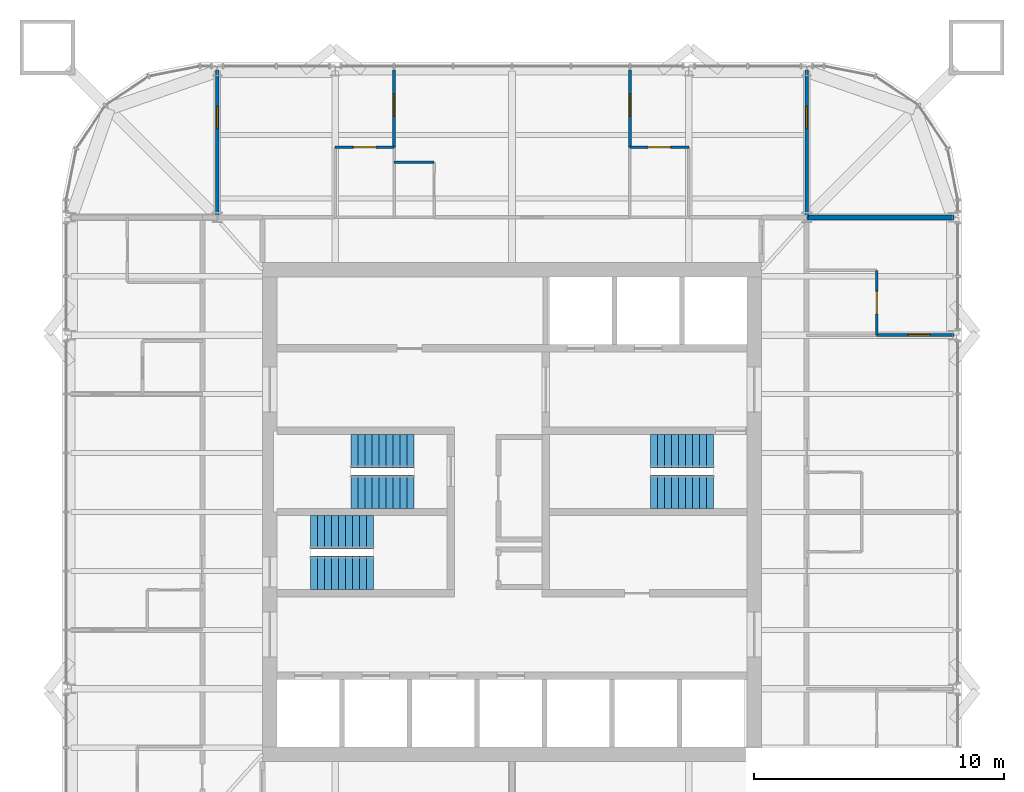
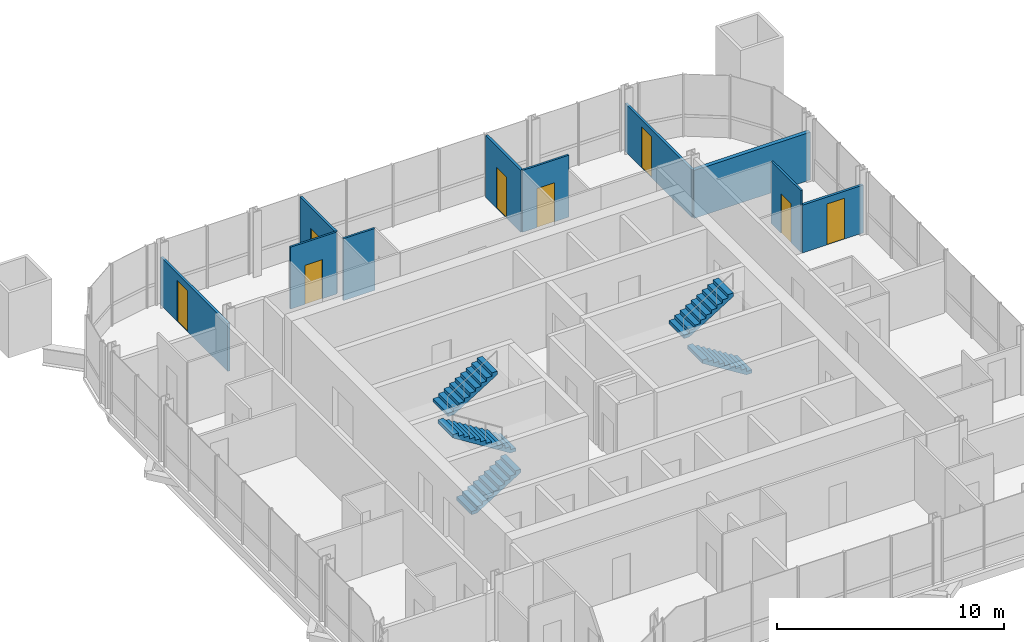
# One storey, part 16 of 17: 10 walls, 8 doors, 6 stair flights, 8 openings, 3 elements without a shape of their own.
"""IFC4 building model written with IfcOpenShell, lengths in metres."""

from ifc_helpers import new_model, si_unit, direction, frame, frame_2d, origin, place, context, subcontext, project, spatial, polyline, rectangle, outline, extrude, material, layer, layer_set, type_object, element, fill, aggregate, save


model = new_model("IFC4")

# Units and contexts
model_context = context("Model", 3, precision=1e-05, world=origin(), true_north=direction((0.0, 1.0)))
body_context = subcontext(model_context, "Body", "Model", "MODEL_VIEW")
ifc_project = project(units=[si_unit("LENGTHUNIT", "METRE"), si_unit("AREAUNIT", "SQUARE_METRE"), si_unit("VOLUMEUNIT", "CUBIC_METRE"), si_unit("PLANEANGLEUNIT", "RADIAN"), si_unit("MASSUNIT", "GRAM", prefix="KILO")], contexts=[model_context])

# Site, building, storey
site_placement = place(None, origin())
site = spatial("IfcSite", under=ifc_project, at=site_placement, CompositionType="ELEMENT")
building_placement = place(site_placement, origin())
building = spatial("IfcBuilding", under=site, at=building_placement, Name="Turquesa Mirador Hotel Tower", CompositionType="ELEMENT")
storey_placement = place(building_placement, frame((0.0, 0.0, 240.699951171875)))
storey = spatial("IfcBuildingStorey", under=building, at=storey_placement, Name="L65", CompositionType="ELEMENT", Elevation=240.699951171875)

# Wall
ifc_material_1 = material(Name="Gypsum board on steel studs", Category="steel")
ifc_layer_1 = layer(ifc_material_1, 0.10009765625)
ifc_layer_set_1 = layer_set([ifc_layer_1], Name="BATHROOM WALL 100")
wall_type_1 = type_object("IfcWallType", Name="BATHROOM WALL 100", PredefinedType="PARTITIONING", material=ifc_layer_set_1)
wall_1_placement = place(storey_placement, frame((50.280029296875, 59.0, 0.0), z_axis=(0.0, 0.0, 1.0), x_axis=(1.0, 0.0, 0.0)))
element("IfcWall", 1, at=wall_1_placement, inside=storey, type_object=wall_type_1, Name="Partition L65 032", PredefinedType="PARTITIONING", context=body_context, shape_type="SweptSolid", body=[
    extrude(rectangle(XDim=1.599853515625, YDim=0.10009765625, at=frame_2d((0.7998046875, 0.0))), origin(), (0.0, 0.0, 1.0), 3.330078125),
])

# Wall, opening, door
wall_2_placement = place(storey_placement, frame((47.919921875, 59.60009765625, 0.0), z_axis=(0.0, 0.0, 1.0), x_axis=(1.0, 0.0, 0.0)))
wall_2 = element("IfcWall", 2, at=wall_2_placement, inside=storey, type_object=wall_type_1, Name="Partition L65 033", PredefinedType="PARTITIONING", context=body_context, shape_type="SweptSolid", body=[
    extrude(rectangle(XDim=2.360107421875, YDim=0.10009765625, at=frame_2d((1.18017578125, 0.0))), origin(), (0.0, 0.0, 1.0), 3.330078125),
])
opening_1_placement = place(wall_2_placement, frame((0.72998046875, 0.0, 0.0)))
opening_1 = element("IfcOpeningElement", 3, at=opening_1_placement, cuts=wall_2, Name="Opening D02", PredefinedType="OPENING", context=body_context, shape_type="SweptSolid", body=[
    extrude(rectangle(XDim=0.89990234375, YDim=2.10009765625, at=frame_2d((0.449951171875, 1.050048828125))), frame((0.0, 0.06005859375, 0.0), z_axis=(0.0, -1.0, 0.0), x_axis=(1.0, 0.0, 0.0)), (0.0, 0.0, 1.0), 0.1201171875),
])
ifc_material_2 = material(Name="Timber veneered door", Category="wood")
door_type_1 = type_object("IfcDoorType", Name="DOOR 900X2100 EN-SUITE", OperationType="SINGLE_SWING_RIGHT", PredefinedType="DOOR", material=ifc_material_2)
door_1_placement = place(opening_1_placement, origin())
door_1 = element("IfcDoor", 4, at=door_1_placement, inside=storey, type_object=door_type_1, Name="Door 6501B", OperationType="SINGLE_SWING_RIGHT", OverallHeight=2.10009765625, OverallWidth=0.89990234375, PredefinedType="DOOR", context=body_context, shape_type="SweptSolid", body=[
    extrude(rectangle(XDim=0.89990234375, YDim=2.10009765625, at=frame_2d((0.449951171875, 1.050048828125))), frame((0.0, 0.02490234375, 0.0), z_axis=(0.0, -1.0, 0.0), x_axis=(1.0, 0.0, 0.0)), (0.0, 0.0, 1.0), 0.050048828125),
])
fill(opening_1, door_1)

wall_3_placement = place(storey_placement, frame((59.719970703125, 59.60009765625, 0.0), z_axis=(0.0, 0.0, 1.0), x_axis=(1.0, 0.0, 0.0)))
wall_3 = element("IfcWall", 5, at=wall_3_placement, inside=storey, type_object=wall_type_1, Name="Partition L65 034", PredefinedType="PARTITIONING", context=body_context, shape_type="SweptSolid", body=[
    extrude(rectangle(XDim=2.360107421875, YDim=0.10009765625, at=frame_2d((1.18017578125, 0.0))), origin(), (0.0, 0.0, 1.0), 3.330078125),
])
opening_2_placement = place(wall_3_placement, frame((0.72998046875, 0.0, 0.0)))
opening_2 = element("IfcOpeningElement", 6, at=opening_2_placement, cuts=wall_3, Name="Opening D02", PredefinedType="OPENING", context=body_context, shape_type="SweptSolid", body=[
    extrude(rectangle(XDim=0.89990234375, YDim=2.10009765625, at=frame_2d((0.449951171875, 1.050048828125))), frame((0.0, 0.06005859375, 0.0), z_axis=(0.0, -1.0, 0.0), x_axis=(1.0, 0.0, 0.0)), (0.0, 0.0, 1.0), 0.1201171875),
])
door_2_placement = place(opening_2_placement, origin())
door_2 = element("IfcDoor", 7, at=door_2_placement, inside=storey, type_object=door_type_1, Name="Door 6501E", OperationType="SINGLE_SWING_RIGHT", OverallHeight=2.10009765625, OverallWidth=0.89990234375, PredefinedType="DOOR", context=body_context, shape_type="SweptSolid", body=[
    extrude(rectangle(XDim=0.89990234375, YDim=2.10009765625, at=frame_2d((0.449951171875, 1.050048828125))), frame((0.0, 0.02490234375, 0.0), z_axis=(0.0, -1.0, 0.0), x_axis=(1.0, 0.0, 0.0)), (0.0, 0.0, 1.0), 0.050048828125),
])
fill(opening_2, door_2)

wall_4_placement = place(storey_placement, frame((69.60009765625, 52.080078125, 0.0), z_axis=(0.0, 0.0, 1.0), x_axis=(0.0, 1.0, 0.0)))
wall_4 = element("IfcWall", 8, at=wall_4_placement, inside=storey, type_object=wall_type_1, Name="Partition L65 066", PredefinedType="PARTITIONING", context=body_context, shape_type="SweptSolid", body=[
    extrude(rectangle(XDim=2.599853515625, YDim=0.10009765625, at=frame_2d((1.2998046875, 0.0))), origin(), (0.0, 0.0, 1.0), 3.330078125),
])
opening_3_placement = place(wall_4_placement, frame((0.85009765625, 0.0, 0.0)))
opening_3 = element("IfcOpeningElement", 9, at=opening_3_placement, cuts=wall_4, Name="Opening D02", PredefinedType="OPENING", context=body_context, shape_type="SweptSolid", body=[
    extrude(rectangle(XDim=0.89990234375, YDim=2.10009765625, at=frame_2d((0.449951171875, 1.050048828125))), frame((0.0, 0.06005859375, 0.0), z_axis=(0.0, -1.0, 0.0), x_axis=(1.0, 0.0, 0.0)), (0.0, 0.0, 1.0), 0.1201171875),
])
door_3_placement = place(opening_3_placement, origin())
door_3 = element("IfcDoor", 10, at=door_3_placement, inside=storey, type_object=door_type_1, Name="Door 6505B", OperationType="SINGLE_SWING_RIGHT", OverallHeight=2.10009765625, OverallWidth=0.89990234375, PredefinedType="DOOR", context=body_context, shape_type="SweptSolid", body=[
    extrude(rectangle(XDim=0.89990234375, YDim=2.10009765625, at=frame_2d((0.449951171875, 1.050048828125))), frame((0.0, 0.02490234375, 0.0), z_axis=(0.0, -1.0, 0.0), x_axis=(1.0, 0.0, 0.0)), (0.0, 0.0, 1.0), 0.050048828125),
])
fill(opening_3, door_3)

# Wall
ifc_material_3 = material(Name="Fire-rated gypsum board on steel studs", Category="steel")
ifc_layer_2 = layer(ifc_material_3, 0.199951171875)
ifc_layer_set_2 = layer_set([ifc_layer_2], Name="PARTY WALL 200")
wall_type_2 = type_object("IfcWallType", Name="PARTY WALL 200", PredefinedType="PARTITIONING", material=ifc_layer_set_2)
wall_5_placement = place(storey_placement, frame((66.800048828125, 56.800048828125, 0.0), z_axis=(0.0, 0.0, 1.0), x_axis=(1.0, 0.0, 0.0)))
element("IfcWall", 11, at=wall_5_placement, inside=storey, type_object=wall_type_2, Name="Partition L65 028", PredefinedType="PARTITIONING", context=body_context, shape_type="SweptSolid", body=[
    extrude(rectangle(XDim=5.89990234375, YDim=0.199951171875, at=frame_2d((2.949951171875, 0.0))), origin(), (0.0, 0.0, 1.0), 2.5732421875),
])

# Wall, opening, door
ifc_material_4 = material(Name="Acoustic gypsum board on steel studs", Category="steel")
ifc_layer_3 = layer(ifc_material_4, 0.125)
ifc_layer_set_3 = layer_set([ifc_layer_3], Name="SUITE PARTITION 125")
wall_type_3 = type_object("IfcWallType", Name="SUITE PARTITION 125", PredefinedType="PARTITIONING", material=ifc_layer_set_3)
wall_6_placement = place(storey_placement, frame((69.60009765625, 52.080078125, 0.0), z_axis=(0.0, 0.0, 1.0), x_axis=(1.0, 0.0, 0.0)))
wall_6 = element("IfcWall", 12, at=wall_6_placement, inside=storey, type_object=wall_type_3, Name="Partition L65 038", PredefinedType="PARTITIONING", context=body_context, shape_type="SweptSolid", body=[
    extrude(rectangle(XDim=3.099853515625, YDim=0.125, at=frame_2d((1.5498046875, 0.0))), origin(), (0.0, 0.0, 1.0), 2.5732421875),
])
opening_4_placement = place(wall_6_placement, frame((1.25, 0.0, 0.0)))
opening_4 = element("IfcOpeningElement", 13, at=opening_4_placement, cuts=wall_6, Name="Opening D17", PredefinedType="OPENING", context=body_context, shape_type="SweptSolid", body=[
    extrude(rectangle(XDim=0.89990234375, YDim=2.199951171875, at=frame_2d((0.449951171875, 1.10009765625))), frame((0.0, 0.072509765625, 0.0), z_axis=(0.0, -1.0, 0.0), x_axis=(1.0, 0.0, 0.0)), (0.0, 0.0, 1.0), 0.14501953125),
])
ifc_material_5 = material(Name="Timber veneered door", Category="wood")
door_type_2 = type_object("IfcDoorType", Name="DOOR 900X2200 SUITE INTERNAL", OperationType="SINGLE_SWING_LEFT", PredefinedType="DOOR", material=ifc_material_5)
door_4_placement = place(opening_4_placement, origin())
door_4 = element("IfcDoor", 14, at=door_4_placement, inside=storey, type_object=door_type_2, Name="Door 6505R", OperationType="SINGLE_SWING_LEFT", OverallHeight=2.199951171875, OverallWidth=0.89990234375, PredefinedType="DOOR", context=body_context, shape_type="SweptSolid", body=[
    extrude(rectangle(XDim=0.89990234375, YDim=2.199951171875, at=frame_2d((0.449951171875, 1.10009765625))), frame((0.0, 0.02490234375, 0.0), z_axis=(0.0, -1.0, 0.0), x_axis=(1.0, 0.0, 0.0)), (0.0, 0.0, 1.0), 0.050048828125),
])
fill(opening_4, door_4)

wall_7_placement = place(storey_placement, frame((43.199951171875, 56.800048828125, 0.0), z_axis=(0.0, 0.0, 1.0), x_axis=(0.0, 1.0, 0.0)))
wall_7 = element("IfcWall", 15, at=wall_7_placement, inside=storey, type_object=wall_type_3, Name="Partition L65 045", PredefinedType="PARTITIONING", context=body_context, shape_type="SweptSolid", body=[
    extrude(rectangle(XDim=5.89990234375, YDim=0.125, at=frame_2d((2.949951171875, 0.0))), origin(), (0.0, 0.0, 1.0), 2.5732421875),
])
opening_5_placement = place(wall_7_placement, frame((3.550048828125, 0.0, 0.0)))
opening_5 = element("IfcOpeningElement", 16, at=opening_5_placement, cuts=wall_7, Name="Opening D17", PredefinedType="OPENING", context=body_context, shape_type="SweptSolid", body=[
    extrude(rectangle(XDim=0.89990234375, YDim=2.199951171875, at=frame_2d((0.449951171875, 1.10009765625))), frame((0.0, 0.072509765625, 0.0), z_axis=(0.0, -1.0, 0.0), x_axis=(1.0, 0.0, 0.0)), (0.0, 0.0, 1.0), 0.14501953125),
])
door_5_placement = place(opening_5_placement, origin())
door_5 = element("IfcDoor", 17, at=door_5_placement, inside=storey, type_object=door_type_2, Name="Door 6501T", OperationType="SINGLE_SWING_LEFT", OverallHeight=2.199951171875, OverallWidth=0.89990234375, PredefinedType="DOOR", context=body_context, shape_type="SweptSolid", body=[
    extrude(rectangle(XDim=0.89990234375, YDim=2.199951171875, at=frame_2d((0.449951171875, 1.10009765625))), frame((0.0, 0.02490234375, 0.0), z_axis=(0.0, -1.0, 0.0), x_axis=(1.0, 0.0, 0.0)), (0.0, 0.0, 1.0), 0.050048828125),
])
fill(opening_5, door_5)

wall_8_placement = place(storey_placement, frame((50.280029296875, 59.60009765625, 0.0), z_axis=(0.0, 0.0, 1.0), x_axis=(0.0, 1.0, 0.0)))
wall_8 = element("IfcWall", 18, at=wall_8_placement, inside=storey, type_object=wall_type_3, Name="Partition L65 053", PredefinedType="PARTITIONING", context=body_context, shape_type="SweptSolid", body=[
    extrude(rectangle(XDim=3.099853515625, YDim=0.125, at=frame_2d((1.5498046875, 0.0))), origin(), (0.0, 0.0, 1.0), 3.330078125),
])
opening_6_placement = place(wall_8_placement, frame((1.25, 0.0, 0.0)))
opening_6 = element("IfcOpeningElement", 19, at=opening_6_placement, cuts=wall_8, Name="Opening D17", PredefinedType="OPENING", context=body_context, shape_type="SweptSolid", body=[
    extrude(rectangle(XDim=0.89990234375, YDim=2.199951171875, at=frame_2d((0.449951171875, 1.10009765625))), frame((0.0, 0.072509765625, 0.0), z_axis=(0.0, -1.0, 0.0), x_axis=(1.0, 0.0, 0.0)), (0.0, 0.0, 1.0), 0.14501953125),
])
door_6_placement = place(opening_6_placement, origin())
door_6 = element("IfcDoor", 20, at=door_6_placement, inside=storey, type_object=door_type_2, Name="Door 6501R", OperationType="SINGLE_SWING_LEFT", OverallHeight=2.199951171875, OverallWidth=0.89990234375, PredefinedType="DOOR", context=body_context, shape_type="SweptSolid", body=[
    extrude(rectangle(XDim=0.89990234375, YDim=2.199951171875, at=frame_2d((0.449951171875, 1.10009765625))), frame((0.0, 0.02490234375, 0.0), z_axis=(0.0, -1.0, 0.0), x_axis=(1.0, 0.0, 0.0)), (0.0, 0.0, 1.0), 0.050048828125),
])
fill(opening_6, door_6)

wall_9_placement = place(storey_placement, frame((66.800048828125, 56.800048828125, 0.0), z_axis=(0.0, 0.0, 1.0), x_axis=(0.0, 1.0, 0.0)))
wall_9 = element("IfcWall", 21, at=wall_9_placement, inside=storey, type_object=wall_type_3, Name="Partition L65 063", PredefinedType="PARTITIONING", context=body_context, shape_type="SweptSolid", body=[
    extrude(rectangle(XDim=5.89990234375, YDim=0.125, at=frame_2d((2.949951171875, 0.0))), origin(), (0.0, 0.0, 1.0), 2.5732421875),
])
opening_7_placement = place(wall_9_placement, frame((3.550048828125, 0.0, 0.0)))
opening_7 = element("IfcOpeningElement", 22, at=opening_7_placement, cuts=wall_9, Name="Opening D17", PredefinedType="OPENING", context=body_context, shape_type="SweptSolid", body=[
    extrude(rectangle(XDim=0.89990234375, YDim=2.199951171875, at=frame_2d((0.449951171875, 1.10009765625))), frame((0.0, 0.072509765625, 0.0), z_axis=(0.0, -1.0, 0.0), x_axis=(1.0, 0.0, 0.0)), (0.0, 0.0, 1.0), 0.14501953125),
])
door_7_placement = place(opening_7_placement, origin())
door_7 = element("IfcDoor", 23, at=door_7_placement, inside=storey, type_object=door_type_2, Name="Door 6501U", OperationType="SINGLE_SWING_LEFT", OverallHeight=2.199951171875, OverallWidth=0.89990234375, PredefinedType="DOOR", context=body_context, shape_type="SweptSolid", body=[
    extrude(rectangle(XDim=0.89990234375, YDim=2.199951171875, at=frame_2d((0.449951171875, 1.10009765625))), frame((0.0, 0.02490234375, 0.0), z_axis=(0.0, -1.0, 0.0), x_axis=(1.0, 0.0, 0.0)), (0.0, 0.0, 1.0), 0.050048828125),
])
fill(opening_7, door_7)

wall_10_placement = place(storey_placement, frame((59.719970703125, 59.60009765625, 0.0), z_axis=(0.0, 0.0, 1.0), x_axis=(0.0, 1.0, 0.0)))
wall_10 = element("IfcWall", 24, at=wall_10_placement, inside=storey, type_object=wall_type_3, Name="Partition L65 068", PredefinedType="PARTITIONING", context=body_context, shape_type="SweptSolid", body=[
    extrude(rectangle(XDim=3.099853515625, YDim=0.125, at=frame_2d((1.5498046875, 0.0))), origin(), (0.0, 0.0, 1.0), 3.330078125),
])
opening_8_placement = place(wall_10_placement, frame((1.25, 0.0, 0.0)))
opening_8 = element("IfcOpeningElement", 25, at=opening_8_placement, cuts=wall_10, Name="Opening D17", PredefinedType="OPENING", context=body_context, shape_type="SweptSolid", body=[
    extrude(rectangle(XDim=0.89990234375, YDim=2.199951171875, at=frame_2d((0.449951171875, 1.10009765625))), frame((0.0, 0.072509765625, 0.0), z_axis=(0.0, -1.0, 0.0), x_axis=(1.0, 0.0, 0.0)), (0.0, 0.0, 1.0), 0.14501953125),
])
door_8_placement = place(opening_8_placement, origin())
door_8 = element("IfcDoor", 26, at=door_8_placement, inside=storey, type_object=door_type_2, Name="Door 6501S", OperationType="SINGLE_SWING_LEFT", OverallHeight=2.199951171875, OverallWidth=0.89990234375, PredefinedType="DOOR", context=body_context, shape_type="SweptSolid", body=[
    extrude(rectangle(XDim=0.89990234375, YDim=2.199951171875, at=frame_2d((0.449951171875, 1.10009765625))), frame((0.0, 0.02490234375, 0.0), z_axis=(0.0, -1.0, 0.0), x_axis=(1.0, 0.0, 0.0)), (0.0, 0.0, 1.0), 0.050048828125),
])
fill(opening_8, door_8)

# Stair, stair flights
ifc_material_6 = material(Name="Concrete C35/45", Category="concrete")
stair_type = type_object("IfcStairType", Name="ESCAPE STAIR CORE", PredefinedType="HALF_TURN_STAIR", material=ifc_material_6)
stair_1_placement = place(storey_placement, origin())
stair_1 = element("IfcStair", 27, at=stair_1_placement, inside=storey, type_object=stair_type, Name="Stair ST1 L65 to L66", PredefinedType="HALF_TURN_STAIR")
ifc_material_7 = material(Name="Concrete C35/45 precast flight", Category="concrete")
stair_flight_type = type_object("IfcStairFlightType", Name="STAIR FLIGHT 1330", PredefinedType="STRAIGHT", material=ifc_material_7)
stair_flight_1_placement = place(storey_placement, frame((51.070068359375, 45.81494140625, 0.0), z_axis=(0.0, 0.0, 1.0), x_axis=(-1.0, 0.0, 0.0)))
stair_flight_1 = element("IfcStairFlight", 28, at=stair_flight_1_placement, type_object=stair_flight_type, Name="ST1 flight 1", NumberOfRisers=10, NumberOfTreads=9, PredefinedType="STRAIGHT", RiserHeight=0.175, TreadLength=0.28, context=body_context, shape_type="SweptSolid", body=[
    extrude(outline(polyline([(0.0, 0.0), (0.0, 0.175048828125), (0.280029296875, 0.175048828125), (0.280029296875, 0.35009765625), (0.56005859375, 0.35009765625), (0.56005859375, 0.52490234375), (0.840087890625, 0.52490234375), (0.840087890625, 0.699951171875), (1.1201171875, 0.699951171875), (1.1201171875, 0.875), (1.39990234375, 0.875), (1.39990234375, 1.050048828125), (1.679931640625, 1.050048828125), (1.679931640625, 1.22509765625), (1.9599609375, 1.22509765625), (1.9599609375, 1.39990234375), (2.239990234375, 1.39990234375), (2.239990234375, 1.574951171875), (2.52001953125, 1.574951171875), (2.52001953125, 1.75), (2.52001953125, 1.398193359375), (0.28271484375, 0.0), (0.0, 0.0)])), frame((0.0, 0.6650390625, 0.0), z_axis=(0.0, -1.0, 0.0), x_axis=(1.0, 0.0, 0.0)), (0.0, 0.0, 1.0), 1.330078125),
])
stair_flight_2_placement = place(storey_placement, frame((48.550048828125, 47.43505859375, 1.75), z_axis=(0.0, 0.0, 1.0), x_axis=(1.0, 0.0, 0.0)))
stair_flight_2 = element("IfcStairFlight", 29, at=stair_flight_2_placement, type_object=stair_flight_type, Name="ST1 flight 2", NumberOfRisers=10, NumberOfTreads=9, PredefinedType="STRAIGHT", RiserHeight=0.175, TreadLength=0.28, context=body_context, shape_type="SweptSolid", body=[
    extrude(outline(polyline([(0.0, 0.0), (0.0, 0.175048828125), (0.280029296875, 0.175048828125), (0.280029296875, 0.35009765625), (0.56005859375, 0.35009765625), (0.56005859375, 0.52490234375), (0.840087890625, 0.52490234375), (0.840087890625, 0.699951171875), (1.1201171875, 0.699951171875), (1.1201171875, 0.875), (1.39990234375, 0.875), (1.39990234375, 1.050048828125), (1.679931640625, 1.050048828125), (1.679931640625, 1.22509765625), (1.9599609375, 1.22509765625), (1.9599609375, 1.39990234375), (2.239990234375, 1.39990234375), (2.239990234375, 1.574951171875), (2.52001953125, 1.574951171875), (2.52001953125, 1.75), (2.52001953125, 1.398193359375), (0.28271484375, 0.0), (0.0, 0.0)])), frame((0.0, 0.6650390625, 0.0), z_axis=(0.0, -1.0, 0.0), x_axis=(1.0, 0.0, 0.0)), (0.0, 0.0, 1.0), 1.330078125),
])
aggregate(stair_1, [stair_flight_1, stair_flight_2])

stair_2_placement = place(storey_placement, origin())
stair_2 = element("IfcStair", 30, at=stair_2_placement, inside=storey, type_object=stair_type, Name="Stair ST2 L65 to L66", PredefinedType="HALF_TURN_STAIR")
stair_flight_3_placement = place(storey_placement, frame((46.929931640625, 42.56494140625, 0.0), z_axis=(0.0, 0.0, 1.0), x_axis=(1.0, 0.0, 0.0)))
stair_flight_3 = element("IfcStairFlight", 31, at=stair_flight_3_placement, type_object=stair_flight_type, Name="ST2 flight 1", NumberOfRisers=10, NumberOfTreads=9, PredefinedType="STRAIGHT", RiserHeight=0.175, TreadLength=0.28, context=body_context, shape_type="SweptSolid", body=[
    extrude(outline(polyline([(0.0, 0.0), (0.0, 0.175048828125), (0.280029296875, 0.175048828125), (0.280029296875, 0.35009765625), (0.56005859375, 0.35009765625), (0.56005859375, 0.52490234375), (0.840087890625, 0.52490234375), (0.840087890625, 0.699951171875), (1.1201171875, 0.699951171875), (1.1201171875, 0.875), (1.39990234375, 0.875), (1.39990234375, 1.050048828125), (1.679931640625, 1.050048828125), (1.679931640625, 1.22509765625), (1.9599609375, 1.22509765625), (1.9599609375, 1.39990234375), (2.239990234375, 1.39990234375), (2.239990234375, 1.574951171875), (2.52001953125, 1.574951171875), (2.52001953125, 1.75), (2.52001953125, 1.398193359375), (0.28271484375, 0.0), (0.0, 0.0)])), frame((0.0, 0.6650390625, 0.0), z_axis=(0.0, -1.0, 0.0), x_axis=(1.0, 0.0, 0.0)), (0.0, 0.0, 1.0), 1.330078125),
])
stair_flight_4_placement = place(storey_placement, frame((49.449951171875, 44.18505859375, 1.75), z_axis=(0.0, 0.0, 1.0), x_axis=(-1.0, 0.0, 0.0)))
stair_flight_4 = element("IfcStairFlight", 32, at=stair_flight_4_placement, type_object=stair_flight_type, Name="ST2 flight 2", NumberOfRisers=10, NumberOfTreads=9, PredefinedType="STRAIGHT", RiserHeight=0.175, TreadLength=0.28, context=body_context, shape_type="SweptSolid", body=[
    extrude(outline(polyline([(0.0, 0.0), (0.0, 0.175048828125), (0.280029296875, 0.175048828125), (0.280029296875, 0.35009765625), (0.56005859375, 0.35009765625), (0.56005859375, 0.52490234375), (0.840087890625, 0.52490234375), (0.840087890625, 0.699951171875), (1.1201171875, 0.699951171875), (1.1201171875, 0.875), (1.39990234375, 0.875), (1.39990234375, 1.050048828125), (1.679931640625, 1.050048828125), (1.679931640625, 1.22509765625), (1.9599609375, 1.22509765625), (1.9599609375, 1.39990234375), (2.239990234375, 1.39990234375), (2.239990234375, 1.574951171875), (2.52001953125, 1.574951171875), (2.52001953125, 1.75), (2.52001953125, 1.398193359375), (0.28271484375, 0.0), (0.0, 0.0)])), frame((0.0, 0.6650390625, 0.0), z_axis=(0.0, -1.0, 0.0), x_axis=(1.0, 0.0, 0.0)), (0.0, 0.0, 1.0), 1.330078125),
])
aggregate(stair_2, [stair_flight_3, stair_flight_4])

stair_3_placement = place(storey_placement, origin())
stair_3 = element("IfcStair", 33, at=stair_3_placement, inside=storey, type_object=stair_type, Name="Stair ST3 L65 to L66", PredefinedType="HALF_TURN_STAIR")
stair_flight_5_placement = place(storey_placement, frame((63.070068359375, 45.81494140625, 0.0), z_axis=(0.0, 0.0, 1.0), x_axis=(-1.0, 0.0, 0.0)))
stair_flight_5 = element("IfcStairFlight", 34, at=stair_flight_5_placement, type_object=stair_flight_type, Name="ST3 flight 1", NumberOfRisers=10, NumberOfTreads=9, PredefinedType="STRAIGHT", RiserHeight=0.175, TreadLength=0.28, context=body_context, shape_type="SweptSolid", body=[
    extrude(outline(polyline([(0.0, 0.0), (0.0, 0.175048828125), (0.280029296875, 0.175048828125), (0.280029296875, 0.35009765625), (0.56005859375, 0.35009765625), (0.56005859375, 0.52490234375), (0.840087890625, 0.52490234375), (0.840087890625, 0.699951171875), (1.1201171875, 0.699951171875), (1.1201171875, 0.875), (1.39990234375, 0.875), (1.39990234375, 1.050048828125), (1.679931640625, 1.050048828125), (1.679931640625, 1.22509765625), (1.9599609375, 1.22509765625), (1.9599609375, 1.39990234375), (2.239990234375, 1.39990234375), (2.239990234375, 1.574951171875), (2.52001953125, 1.574951171875), (2.52001953125, 1.75), (2.52001953125, 1.398193359375), (0.28271484375, 0.0), (0.0, 0.0)])), frame((0.0, 0.6650390625, 0.0), z_axis=(0.0, -1.0, 0.0), x_axis=(1.0, 0.0, 0.0)), (0.0, 0.0, 1.0), 1.330078125),
])
stair_flight_6_placement = place(storey_placement, frame((60.550048828125, 47.43505859375, 1.75), z_axis=(0.0, 0.0, 1.0), x_axis=(1.0, 0.0, 0.0)))
stair_flight_6 = element("IfcStairFlight", 35, at=stair_flight_6_placement, type_object=stair_flight_type, Name="ST3 flight 2", NumberOfRisers=10, NumberOfTreads=9, PredefinedType="STRAIGHT", RiserHeight=0.175, TreadLength=0.28, context=body_context, shape_type="SweptSolid", body=[
    extrude(outline(polyline([(0.0, 0.0), (0.0, 0.175048828125), (0.280029296875, 0.175048828125), (0.280029296875, 0.35009765625), (0.56005859375, 0.35009765625), (0.56005859375, 0.52490234375), (0.840087890625, 0.52490234375), (0.840087890625, 0.699951171875), (1.1201171875, 0.699951171875), (1.1201171875, 0.875), (1.39990234375, 0.875), (1.39990234375, 1.050048828125), (1.679931640625, 1.050048828125), (1.679931640625, 1.22509765625), (1.9599609375, 1.22509765625), (1.9599609375, 1.39990234375), (2.239990234375, 1.39990234375), (2.239990234375, 1.574951171875), (2.52001953125, 1.574951171875), (2.52001953125, 1.75), (2.52001953125, 1.398193359375), (0.28271484375, 0.0), (0.0, 0.0)])), frame((0.0, 0.6650390625, 0.0), z_axis=(0.0, -1.0, 0.0), x_axis=(1.0, 0.0, 0.0)), (0.0, 0.0, 1.0), 1.330078125),
])
aggregate(stair_3, [stair_flight_5, stair_flight_6])

save(model, "model.ifc")
